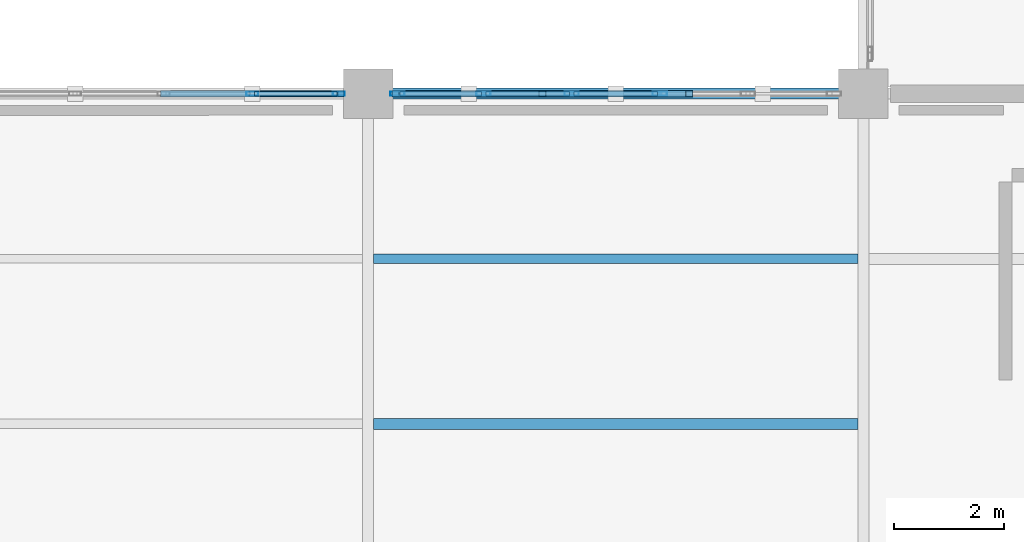
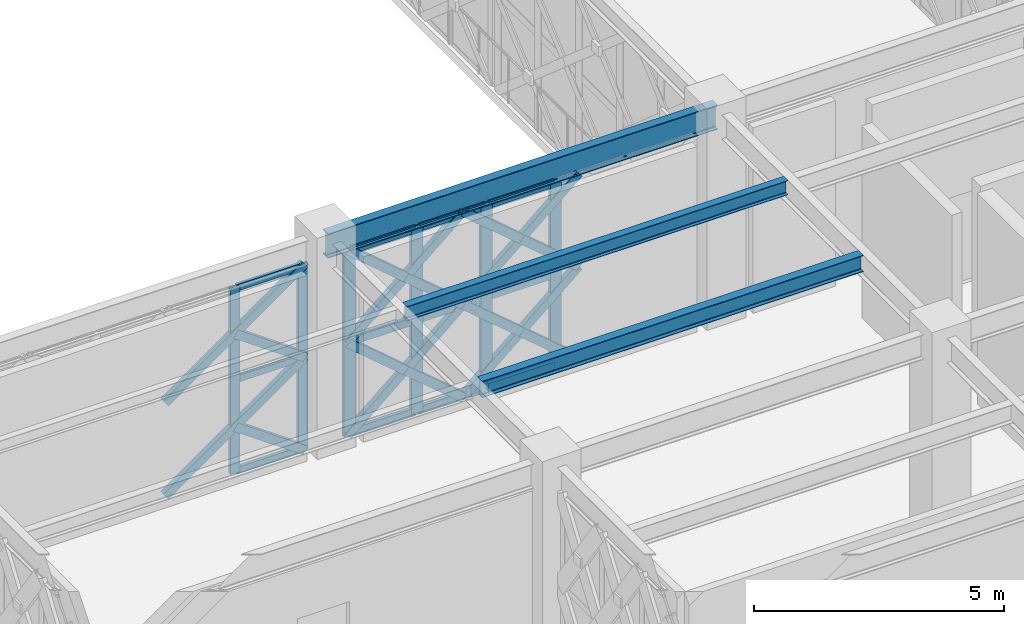
# One storey, part 16 of 166: 34 members, 3 beams, 2 elements without a shape of their own.
"""IFC4 building model written with IfcOpenShell, lengths in metres."""

from ifc_helpers import new_model, si_unit, direction, frame, origin, origin_2d, place, context, subcontext, project, spatial, hollow_rectangle, i_section, extrude, material, material_profile, profile_set, type_object, element, aggregate, save


model = new_model("IFC4")

# Units and contexts
model_context = context("Model", 3, precision=1e-05, world=origin(), true_north=direction((0.0, 1.0)))
body_context = subcontext(model_context, "Body", "Model", "MODEL_VIEW")
ifc_project = project(units=[si_unit("LENGTHUNIT", "METRE"), si_unit("AREAUNIT", "SQUARE_METRE"), si_unit("VOLUMEUNIT", "CUBIC_METRE"), si_unit("PLANEANGLEUNIT", "RADIAN"), si_unit("MASSUNIT", "GRAM", prefix="KILO")], contexts=[model_context])

# Site, building, storey
site_placement = place(None, origin())
site = spatial("IfcSite", under=ifc_project, at=site_placement, CompositionType="ELEMENT")
building_placement = place(site_placement, origin())
building = spatial("IfcBuilding", under=site, at=building_placement, Name="Haizhuo Lancet Aquarium", CompositionType="ELEMENT")
storey_placement = place(building_placement, frame((0.0, 0.0, 5.39990234375)))
storey = spatial("IfcBuildingStorey", under=building, at=storey_placement, Name="L01", CompositionType="ELEMENT", Elevation=5.39990234375)

# Beam
ifc_material_1 = material(Name="Steel S355", Category="steel")
ifc_material_profile_1 = material_profile(ifc_material_1, i_section(OverallWidth=0.199951171875, OverallDepth=0.60009765625, WebThickness=0.010986328125, FlangeThickness=0.01708984375, FilletRadius=0.02197265625, at=origin_2d()), Name="HN 600x200x11x17")
ifc_profile_set_1 = profile_set([ifc_material_profile_1], Name="Steel S355")
beam_type_1 = type_object("IfcBeamType", Name="BM-ST-HN600", PredefinedType="BEAM", material=ifc_profile_set_1)
beam_1_placement = place(storey_placement, frame((-72.0, -9.0, 4.840087890625), z_axis=(1.0, 0.0, 0.0), x_axis=(0.0, 1.0, 0.0)))
element("IfcBeam", 1, at=beam_1_placement, inside=storey, type_object=beam_type_1, Name="L01 V6 primary girder BM-L01-V6-008", PredefinedType="BEAM", context=body_context, shape_type="SweptSolid", body=[
    extrude(i_section(OverallWidth=0.199951171875, OverallDepth=0.60009765625, WebThickness=0.010986328125, FlangeThickness=0.01708984375, FilletRadius=0.02197265625, at=origin_2d()), origin(), (0.0, 0.0, 1.0), 9.0),
])

# Curtain wall, members
ifc_material_2 = material(Name="Aluminium 6063-T6", Category="aluminium")
curtain_wall_type_1 = type_object("IfcCurtainWallType", Name="CWO-9660x4540", PredefinedType="NOTDEFINED", material=ifc_material_2)
curtain_wall_1_placement = place(storey_placement, origin())
curtain_wall_1 = element("IfcCurtainWall", 2, at=curtain_wall_1_placement, inside=storey, type_object=curtain_wall_type_1, Name="L01 curtain wall CW-V6-L01-203", PredefinedType="NOTDEFINED")
ifc_material_profile_2 = material_profile(ifc_material_2, hollow_rectangle(XDim=0.074951171875, YDim=0.219970703125, WallThickness=0.0048828125, at=origin_2d()), Name="ALU-M 75x220x5")
ifc_profile_set_2 = profile_set([ifc_material_profile_2], Name="Aluminium 6063-T6")
member_type_1 = type_object("IfcMemberType", Name="CW-MUL-2", PredefinedType="MULLION", material=ifc_profile_set_2)
member_1_placement = place(storey_placement, frame((-74.10498046875, -9.0, 0.0), z_axis=(0.0, 0.0, 1.0), x_axis=(0.0, 1.0, 0.0)))
member_1 = element("IfcMember", 3, at=member_1_placement, type_object=member_type_1, Name="CWO-96x45 mullion 6", PredefinedType="MULLION", context=body_context, shape_type="SweptSolid", body=[
    extrude(hollow_rectangle(XDim=0.074951171875, YDim=0.219970703125, WallThickness=0.0048828125, at=origin_2d()), origin(), (0.0, 0.0, 1.0), 4.5400390625),
])
member_2_placement = place(storey_placement, frame((-72.531982421875, -9.0, 0.0), z_axis=(0.0, 0.0, 1.0), x_axis=(0.0, 1.0, 0.0)))
member_2 = element("IfcMember", 4, at=member_2_placement, type_object=member_type_1, Name="CWO-96x45 mullion 7", PredefinedType="MULLION", context=body_context, shape_type="SweptSolid", body=[
    extrude(hollow_rectangle(XDim=0.074951171875, YDim=0.219970703125, WallThickness=0.0048828125, at=origin_2d()), origin(), (0.0, 0.0, 1.0), 4.5400390625),
])

curtain_wall_type_2 = type_object("IfcCurtainWallType", Name="CWO-8010x4540", PredefinedType="NOTDEFINED", material=ifc_material_2)
curtain_wall_2_placement = place(storey_placement, origin())
curtain_wall_2 = element("IfcCurtainWall", 5, at=curtain_wall_2_placement, inside=storey, type_object=curtain_wall_type_2, Name="L01 curtain wall CW-V6-L01-204", PredefinedType="NOTDEFINED")
ifc_material_profile_3 = material_profile(ifc_material_2, hollow_rectangle(XDim=0.080078125, YDim=0.260009765625, WallThickness=0.0048828125, at=origin_2d()), Name="ALU-M 80x260x5")
ifc_profile_set_3 = profile_set([ifc_material_profile_3], Name="Aluminium 6063-T6")
member_type_2 = type_object("IfcMemberType", Name="CW-MUL-3", PredefinedType="MULLION", material=ifc_profile_set_3)
member_3_placement = place(storey_placement, frame((-71.465087890625, -9.0, 0.0), z_axis=(0.0, 0.0, 1.0), x_axis=(0.0, 1.0, 0.0)))
member_3 = element("IfcMember", 6, at=member_3_placement, type_object=member_type_2, Name="CWO-80x45 mullion 1", PredefinedType="MULLION", context=body_context, shape_type="SweptSolid", body=[
    extrude(hollow_rectangle(XDim=0.080078125, YDim=0.260009765625, WallThickness=0.0048828125, at=origin_2d()), origin(), (0.0, 0.0, 1.0), 4.5400390625),
])
member_4_placement = place(storey_placement, frame((-69.903076171875, -9.0, 0.0), z_axis=(0.0, 0.0, 1.0), x_axis=(0.0, 1.0, 0.0)))
member_4 = element("IfcMember", 7, at=member_4_placement, type_object=member_type_2, Name="CWO-80x45 mullion 2", PredefinedType="MULLION", context=body_context, shape_type="SweptSolid", body=[
    extrude(hollow_rectangle(XDim=0.080078125, YDim=0.260009765625, WallThickness=0.0048828125, at=origin_2d()), origin(), (0.0, 0.0, 1.0), 4.5400390625),
])
member_5_placement = place(storey_placement, frame((-68.301025390625, -9.0, 0.0), z_axis=(0.0, 0.0, 1.0), x_axis=(0.0, 1.0, 0.0)))
member_5 = element("IfcMember", 8, at=member_5_placement, type_object=member_type_2, Name="CWO-80x45 mullion 3", PredefinedType="MULLION", context=body_context, shape_type="SweptSolid", body=[
    extrude(hollow_rectangle(XDim=0.080078125, YDim=0.260009765625, WallThickness=0.0048828125, at=origin_2d()), origin(), (0.0, 0.0, 1.0), 4.5400390625),
])
member_6_placement = place(storey_placement, frame((-66.698974609375, -9.0, 0.0), z_axis=(0.0, 0.0, 1.0), x_axis=(0.0, 1.0, 0.0)))
member_6 = element("IfcMember", 9, at=member_6_placement, type_object=member_type_2, Name="CWO-80x45 mullion 4", PredefinedType="MULLION", context=body_context, shape_type="SweptSolid", body=[
    extrude(hollow_rectangle(XDim=0.080078125, YDim=0.260009765625, WallThickness=0.0048828125, at=origin_2d()), origin(), (0.0, 0.0, 1.0), 4.5400390625),
])

# Member
ifc_material_profile_4 = material_profile(ifc_material_2, hollow_rectangle(XDim=0.074951171875, YDim=0.159912109375, WallThickness=0.00390625, at=origin_2d()), Name="ALU-T 75x160x4")
ifc_profile_set_4 = profile_set([ifc_material_profile_4], Name="Aluminium 6063-T6")
member_type_3 = type_object("IfcMemberType", Name="CW-TRN-2", PredefinedType="NOTDEFINED", material=ifc_profile_set_4)
member_7_placement = place(storey_placement, frame((-74.068115234375, -9.0, 0.0380859375), z_axis=(1.0, 0.0, 0.0), x_axis=(0.0, 1.0, 0.0)))
member_7 = element("IfcMember", 10, at=member_7_placement, type_object=member_type_3, Name="CWO-96x45 transom 6.1", ObjectType="TRANSOM", PredefinedType="USERDEFINED", context=body_context, shape_type="SweptSolid", body=[
    extrude(hollow_rectangle(XDim=0.074951171875, YDim=0.159912109375, WallThickness=0.00390625, at=origin_2d()), origin(), (0.0, 0.0, 1.0), 1.498046875),
])

member_8_placement = place(storey_placement, frame((-74.068115234375, -9.0, 2.27001953125), z_axis=(1.0, 0.0, 0.0), x_axis=(0.0, 1.0, 0.0)))
member_8 = element("IfcMember", 11, at=member_8_placement, type_object=member_type_3, Name="CWO-96x45 transom 6.2", ObjectType="TRANSOM", PredefinedType="USERDEFINED", context=body_context, shape_type="SweptSolid", body=[
    extrude(hollow_rectangle(XDim=0.074951171875, YDim=0.159912109375, WallThickness=0.00390625, at=origin_2d()), origin(), (0.0, 0.0, 1.0), 1.498046875),
])

member_9_placement = place(storey_placement, frame((-74.068115234375, -9.0, 4.502197265625), z_axis=(1.0, 0.0, 0.0), x_axis=(0.0, 1.0, 0.0)))
member_9 = element("IfcMember", 12, at=member_9_placement, type_object=member_type_3, Name="CWO-96x45 transom 6.3", ObjectType="TRANSOM", PredefinedType="USERDEFINED", context=body_context, shape_type="SweptSolid", body=[
    extrude(hollow_rectangle(XDim=0.074951171875, YDim=0.159912109375, WallThickness=0.00390625, at=origin_2d()), origin(), (0.0, 0.0, 1.0), 1.498046875),
])

aggregate(curtain_wall_1, [member_1, member_2, member_7, member_8, member_9])

ifc_material_profile_5 = material_profile(ifc_material_2, hollow_rectangle(XDim=0.080078125, YDim=0.18994140625, WallThickness=0.0048828125, at=origin_2d()), Name="ALU-T 80x190x5")
ifc_profile_set_5 = profile_set([ifc_material_profile_5], Name="Aluminium 6063-T6")
member_type_4 = type_object("IfcMemberType", Name="CW-TRN-3", PredefinedType="NOTDEFINED", material=ifc_profile_set_5)
member_10_placement = place(storey_placement, frame((-71.425048828125, -9.0, 0.0400390625), z_axis=(1.0, 0.0, 0.0), x_axis=(0.0, 1.0, 0.0)))
member_10 = element("IfcMember", 13, at=member_10_placement, type_object=member_type_4, Name="CWO-80x45 transom 1.1", ObjectType="TRANSOM", PredefinedType="USERDEFINED", context=body_context, shape_type="SweptSolid", body=[
    extrude(hollow_rectangle(XDim=0.080078125, YDim=0.18994140625, WallThickness=0.0048828125, at=origin_2d()), origin(), (0.0, 0.0, 1.0), 1.48193359375),
])

member_11_placement = place(storey_placement, frame((-71.425048828125, -9.0, 2.27001953125), z_axis=(1.0, 0.0, 0.0), x_axis=(0.0, 1.0, 0.0)))
member_11 = element("IfcMember", 14, at=member_11_placement, type_object=member_type_4, Name="CWO-80x45 transom 1.2", ObjectType="TRANSOM", PredefinedType="USERDEFINED", context=body_context, shape_type="SweptSolid", body=[
    extrude(hollow_rectangle(XDim=0.080078125, YDim=0.18994140625, WallThickness=0.0048828125, at=origin_2d()), origin(), (0.0, 0.0, 1.0), 1.48193359375),
])

member_12_placement = place(storey_placement, frame((-71.425048828125, -9.0, 4.5), z_axis=(1.0, 0.0, 0.0), x_axis=(0.0, 1.0, 0.0)))
member_12 = element("IfcMember", 15, at=member_12_placement, type_object=member_type_4, Name="CWO-80x45 transom 1.3", ObjectType="TRANSOM", PredefinedType="USERDEFINED", context=body_context, shape_type="SweptSolid", body=[
    extrude(hollow_rectangle(XDim=0.080078125, YDim=0.18994140625, WallThickness=0.0048828125, at=origin_2d()), origin(), (0.0, 0.0, 1.0), 1.48193359375),
])

member_13_placement = place(storey_placement, frame((-69.863037109375, -9.0, 0.0400390625), z_axis=(1.0, 0.0, 0.0), x_axis=(0.0, 1.0, 0.0)))
member_13 = element("IfcMember", 16, at=member_13_placement, type_object=member_type_4, Name="CWO-80x45 transom 2.1", ObjectType="TRANSOM", PredefinedType="USERDEFINED", context=body_context, shape_type="SweptSolid", body=[
    extrude(hollow_rectangle(XDim=0.080078125, YDim=0.18994140625, WallThickness=0.0048828125, at=origin_2d()), origin(), (0.0, 0.0, 1.0), 1.52197265625),
])

member_14_placement = place(storey_placement, frame((-69.863037109375, -9.0, 2.27001953125), z_axis=(1.0, 0.0, 0.0), x_axis=(0.0, 1.0, 0.0)))
member_14 = element("IfcMember", 17, at=member_14_placement, type_object=member_type_4, Name="CWO-80x45 transom 2.2", ObjectType="TRANSOM", PredefinedType="USERDEFINED", context=body_context, shape_type="SweptSolid", body=[
    extrude(hollow_rectangle(XDim=0.080078125, YDim=0.18994140625, WallThickness=0.0048828125, at=origin_2d()), origin(), (0.0, 0.0, 1.0), 1.52197265625),
])

member_15_placement = place(storey_placement, frame((-69.863037109375, -9.0, 4.5), z_axis=(1.0, 0.0, 0.0), x_axis=(0.0, 1.0, 0.0)))
member_15 = element("IfcMember", 18, at=member_15_placement, type_object=member_type_4, Name="CWO-80x45 transom 2.3", ObjectType="TRANSOM", PredefinedType="USERDEFINED", context=body_context, shape_type="SweptSolid", body=[
    extrude(hollow_rectangle(XDim=0.080078125, YDim=0.18994140625, WallThickness=0.0048828125, at=origin_2d()), origin(), (0.0, 0.0, 1.0), 1.52197265625),
])

member_16_placement = place(storey_placement, frame((-68.260986328125, -9.0, 0.0400390625), z_axis=(1.0, 0.0, 0.0), x_axis=(0.0, 1.0, 0.0)))
member_16 = element("IfcMember", 19, at=member_16_placement, type_object=member_type_4, Name="CWO-80x45 transom 3.1", ObjectType="TRANSOM", PredefinedType="USERDEFINED", context=body_context, shape_type="SweptSolid", body=[
    extrude(hollow_rectangle(XDim=0.080078125, YDim=0.18994140625, WallThickness=0.0048828125, at=origin_2d()), origin(), (0.0, 0.0, 1.0), 1.52197265625),
])

member_17_placement = place(storey_placement, frame((-68.260986328125, -9.0, 2.27001953125), z_axis=(1.0, 0.0, 0.0), x_axis=(0.0, 1.0, 0.0)))
member_17 = element("IfcMember", 20, at=member_17_placement, type_object=member_type_4, Name="CWO-80x45 transom 3.2", ObjectType="TRANSOM", PredefinedType="USERDEFINED", context=body_context, shape_type="SweptSolid", body=[
    extrude(hollow_rectangle(XDim=0.080078125, YDim=0.18994140625, WallThickness=0.0048828125, at=origin_2d()), origin(), (0.0, 0.0, 1.0), 1.52197265625),
])

member_18_placement = place(storey_placement, frame((-68.260986328125, -9.0, 4.5), z_axis=(1.0, 0.0, 0.0), x_axis=(0.0, 1.0, 0.0)))
member_18 = element("IfcMember", 21, at=member_18_placement, type_object=member_type_4, Name="CWO-80x45 transom 3.3", ObjectType="TRANSOM", PredefinedType="USERDEFINED", context=body_context, shape_type="SweptSolid", body=[
    extrude(hollow_rectangle(XDim=0.080078125, YDim=0.18994140625, WallThickness=0.0048828125, at=origin_2d()), origin(), (0.0, 0.0, 1.0), 1.52197265625),
])

aggregate(curtain_wall_2, [member_3, member_4, member_5, member_6, member_10, member_11, member_12, member_13, member_14, member_15, member_16, member_17, member_18])

# Beams
ifc_material_profile_6 = material_profile(ifc_material_1, i_section(OverallWidth=0.175048828125, OverallDepth=0.35009765625, WebThickness=0.007080078125, FlangeThickness=0.010986328125, FilletRadius=0.013916015625, at=origin_2d()), Name="HN 350x175x7x11")
ifc_profile_set_6 = profile_set([ifc_material_profile_6], Name="Steel S355")
beam_type_2 = type_object("IfcBeamType", Name="JST-ST-HN350", PredefinedType="JOIST", material=ifc_profile_set_6)
beam_2_placement = place(storey_placement, frame((-71.89990234375, -12.0, 4.965087890625), z_axis=(1.0, 0.0, 0.0), x_axis=(0.0, 1.0, 0.0)))
element("IfcBeam", 22, at=beam_2_placement, inside=storey, type_object=beam_type_2, Name="L01 V6 secondary floor joist 6", PredefinedType="JOIST", context=body_context, shape_type="SweptSolid", body=[
    extrude(i_section(OverallWidth=0.175048828125, OverallDepth=0.35009765625, WebThickness=0.007080078125, FlangeThickness=0.010986328125, FilletRadius=0.013916015625, at=origin_2d()), origin(), (0.0, 0.0, 1.0), 8.7998046875),
])
ifc_material_profile_7 = material_profile(ifc_material_1, i_section(OverallWidth=0.199951171875, OverallDepth=0.39990234375, WebThickness=0.008056640625, FlangeThickness=0.012939453125, FilletRadius=0.01611328125, at=origin_2d()), Name="HN 400x200x8x13")
ifc_profile_set_7 = profile_set([ifc_material_profile_7], Name="Steel S355")
beam_type_3 = type_object("IfcBeamType", Name="JST-ST-HN400", PredefinedType="JOIST", material=ifc_profile_set_7)
beam_3_placement = place(storey_placement, frame((-71.89990234375, -15.0, 4.940185546875), z_axis=(1.0, 0.0, 0.0), x_axis=(0.0, 1.0, 0.0)))
element("IfcBeam", 23, at=beam_3_placement, inside=storey, type_object=beam_type_3, Name="L01 V6 secondary floor joist 5", PredefinedType="JOIST", context=body_context, shape_type="SweptSolid", body=[
    extrude(i_section(OverallWidth=0.199951171875, OverallDepth=0.39990234375, WebThickness=0.008056640625, FlangeThickness=0.012939453125, FilletRadius=0.01611328125, at=origin_2d()), origin(), (0.0, 0.0, 1.0), 8.7998046875),
])

# Members
ifc_material_profile_8 = material_profile(ifc_material_1, hollow_rectangle(XDim=0.1201171875, YDim=0.199951171875, WallThickness=0.008056640625, at=origin_2d()), Name="RHS 120x200x8")
ifc_profile_set_8 = profile_set([ifc_material_profile_8], Name="Steel S355")
member_type_5 = type_object("IfcMemberType", Name="MEM-LB-RHS120x200", PredefinedType="BRACE", material=ifc_profile_set_8)
member_19_placement = place(storey_placement, frame((-75.715087890625, -9.0, 0.0), z_axis=(0.817314629678, 0.0, 0.576191631416), x_axis=(0.0, 1.0, 0.0)))
element("IfcMember", 24, at=member_19_placement, inside=storey, type_object=member_type_5, Name="Gothic lancet continuous diagonal brace CW-V6-L01-203 5A", PredefinedType="BRACE", context=body_context, shape_type="SweptSolid", body=[
    extrude(hollow_rectangle(XDim=0.1201171875, YDim=0.199951171875, WallThickness=0.008056640625, at=origin_2d()), origin(), (0.0, 0.0, 1.0), 3.939697265625),
])
member_20_placement = place(storey_placement, frame((-72.4951171875, -9.0, 0.0), z_axis=(-0.817294054467, 0.0, 0.576220815775), x_axis=(0.0, -1.0, 0.0)))
element("IfcMember", 25, at=member_20_placement, inside=storey, type_object=member_type_5, Name="Gothic lancet split diagonal brace CW-V6-L01-203 5B1", PredefinedType="BRACE", context=body_context, shape_type="SweptSolid", body=[
    extrude(hollow_rectangle(XDim=0.1201171875, YDim=0.199951171875, WallThickness=0.008056640625, at=origin_2d()), origin(), (0.0, 0.0, 1.0), 1.9697265625),
])
member_21_placement = place(storey_placement, frame((-75.715087890625, -9.0, 2.27001953125), z_axis=(0.817314629678, 0.0, 0.576191631416), x_axis=(0.0, 1.0, 0.0)))
element("IfcMember", 26, at=member_21_placement, inside=storey, type_object=member_type_5, Name="Gothic lancet continuous diagonal brace CW-V6-L01-203 6A", PredefinedType="BRACE", context=body_context, shape_type="SweptSolid", body=[
    extrude(hollow_rectangle(XDim=0.1201171875, YDim=0.199951171875, WallThickness=0.008056640625, at=origin_2d()), origin(), (0.0, 0.0, 1.0), 3.939697265625),
])
member_22_placement = place(storey_placement, frame((-72.4951171875, -9.0, 2.27001953125), z_axis=(-0.817294054467, 0.0, 0.576220815775), x_axis=(0.0, -1.0, 0.0)))
element("IfcMember", 27, at=member_22_placement, inside=storey, type_object=member_type_5, Name="Gothic lancet split diagonal brace CW-V6-L01-203 6B1", PredefinedType="BRACE", context=body_context, shape_type="SweptSolid", body=[
    extrude(hollow_rectangle(XDim=0.1201171875, YDim=0.199951171875, WallThickness=0.008056640625, at=origin_2d()), origin(), (0.0, 0.0, 1.0), 1.9697265625),
])
member_23_placement = place(storey_placement, frame((-71.5048828125, -9.0, 0.0), z_axis=(0.761856805528, 0.0, 0.647745480779), x_axis=(0.0, 1.0, 0.0)))
element("IfcMember", 28, at=member_23_placement, inside=storey, type_object=member_type_5, Name="Gothic lancet continuous diagonal brace CW-V6-L01-204 1A", PredefinedType="BRACE", context=body_context, shape_type="SweptSolid", body=[
    extrude(hollow_rectangle(XDim=0.1201171875, YDim=0.199951171875, WallThickness=0.008056640625, at=origin_2d()), origin(), (0.0, 0.0, 1.0), 3.50439453125),
])
for number, where, z_axis, x_axis, name in (
    (29, (-68.8349609375, -9.0, 0.0), (-0.761856805528, 0.0, 0.647745480779), (0.0, -1.0, 0.0), "Gothic lancet split diagonal brace CW-V6-L01-204 1B1"),
    (30, (-70.169921875, -9.0, 1.135009765625), (-0.761856805528, 0.0, 0.647745480779), (0.0, -1.0, 0.0), "Gothic lancet split diagonal brace CW-V6-L01-204 1B2"),
):
    element("IfcMember", number, at=place(storey_placement, frame(where, z_axis=z_axis, x_axis=x_axis)), inside=storey, type_object=member_type_5, Name=name, PredefinedType="BRACE", context=body_context, shape_type="SweptSolid", body=[
        extrude(hollow_rectangle(XDim=0.1201171875, YDim=0.199951171875, WallThickness=0.008056640625, at=origin_2d()), origin(), (0.0, 0.0, 1.0), 1.752197265625),
    ])
member_24_placement = place(storey_placement, frame((-71.5048828125, -9.0, 2.27001953125), z_axis=(0.761856805528, 0.0, 0.647745480779), x_axis=(0.0, 1.0, 0.0)))
element("IfcMember", 31, at=member_24_placement, inside=storey, type_object=member_type_5, Name="Gothic lancet continuous diagonal brace CW-V6-L01-204 2A", PredefinedType="BRACE", context=body_context, shape_type="SweptSolid", body=[
    extrude(hollow_rectangle(XDim=0.1201171875, YDim=0.199951171875, WallThickness=0.008056640625, at=origin_2d()), origin(), (0.0, 0.0, 1.0), 3.50439453125),
])
for number, where, z_axis, x_axis, name in (
    (32, (-68.8349609375, -9.0, 2.27001953125), (-0.761856805528, 0.0, 0.647745480779), (0.0, -1.0, 0.0), "Gothic lancet split diagonal brace CW-V6-L01-204 2B1"),
    (33, (-70.169921875, -9.0, 3.405029296875), (-0.761856805528, 0.0, 0.647745480779), (0.0, -1.0, 0.0), "Gothic lancet split diagonal brace CW-V6-L01-204 2B2"),
):
    element("IfcMember", number, at=place(storey_placement, frame(where, z_axis=z_axis, x_axis=x_axis)), inside=storey, type_object=member_type_5, Name=name, PredefinedType="BRACE", context=body_context, shape_type="SweptSolid", body=[
        extrude(hollow_rectangle(XDim=0.1201171875, YDim=0.199951171875, WallThickness=0.008056640625, at=origin_2d()), origin(), (0.0, 0.0, 1.0), 1.752197265625),
    ])
member_25_placement = place(storey_placement, frame((-68.8349609375, -9.0, 0.0), z_axis=(0.761856805528, 0.0, 0.647745480779), x_axis=(0.0, 1.0, 0.0)))
element("IfcMember", 34, at=member_25_placement, inside=storey, type_object=member_type_5, Name="Gothic lancet continuous diagonal brace CW-V6-L01-204 3A", PredefinedType="BRACE", context=body_context, shape_type="SweptSolid", body=[
    extrude(hollow_rectangle(XDim=0.1201171875, YDim=0.199951171875, WallThickness=0.008056640625, at=origin_2d()), origin(), (0.0, 0.0, 1.0), 3.50439453125),
])
for number, where, z_axis, x_axis, name in (
    (35, (-66.1650390625, -9.0, 0.0), (-0.761856805528, 0.0, 0.647745480779), (0.0, -1.0, 0.0), "Gothic lancet split diagonal brace CW-V6-L01-204 3B1"),
    (36, (-67.5, -9.0, 1.135009765625), (-0.761856805528, 0.0, 0.647745480779), (0.0, -1.0, 0.0), "Gothic lancet split diagonal brace CW-V6-L01-204 3B2"),
):
    element("IfcMember", number, at=place(storey_placement, frame(where, z_axis=z_axis, x_axis=x_axis)), inside=storey, type_object=member_type_5, Name=name, PredefinedType="BRACE", context=body_context, shape_type="SweptSolid", body=[
        extrude(hollow_rectangle(XDim=0.1201171875, YDim=0.199951171875, WallThickness=0.008056640625, at=origin_2d()), origin(), (0.0, 0.0, 1.0), 1.752197265625),
    ])
member_26_placement = place(storey_placement, frame((-68.8349609375, -9.0, 2.27001953125), z_axis=(0.761856805528, 0.0, 0.647745480779), x_axis=(0.0, 1.0, 0.0)))
element("IfcMember", 37, at=member_26_placement, inside=storey, type_object=member_type_5, Name="Gothic lancet continuous diagonal brace CW-V6-L01-204 4A", PredefinedType="BRACE", context=body_context, shape_type="SweptSolid", body=[
    extrude(hollow_rectangle(XDim=0.1201171875, YDim=0.199951171875, WallThickness=0.008056640625, at=origin_2d()), origin(), (0.0, 0.0, 1.0), 3.50439453125),
])
for number, where, z_axis, x_axis, name in (
    (38, (-66.1650390625, -9.0, 2.27001953125), (-0.761856805528, 0.0, 0.647745480779), (0.0, -1.0, 0.0), "Gothic lancet split diagonal brace CW-V6-L01-204 4B1"),
    (39, (-67.5, -9.0, 3.405029296875), (-0.761856805528, 0.0, 0.647745480779), (0.0, -1.0, 0.0), "Gothic lancet split diagonal brace CW-V6-L01-204 4B2"),
):
    element("IfcMember", number, at=place(storey_placement, frame(where, z_axis=z_axis, x_axis=x_axis)), inside=storey, type_object=member_type_5, Name=name, PredefinedType="BRACE", context=body_context, shape_type="SweptSolid", body=[
        extrude(hollow_rectangle(XDim=0.1201171875, YDim=0.199951171875, WallThickness=0.008056640625, at=origin_2d()), origin(), (0.0, 0.0, 1.0), 1.752197265625),
    ])

save(model, "model.ifc")
